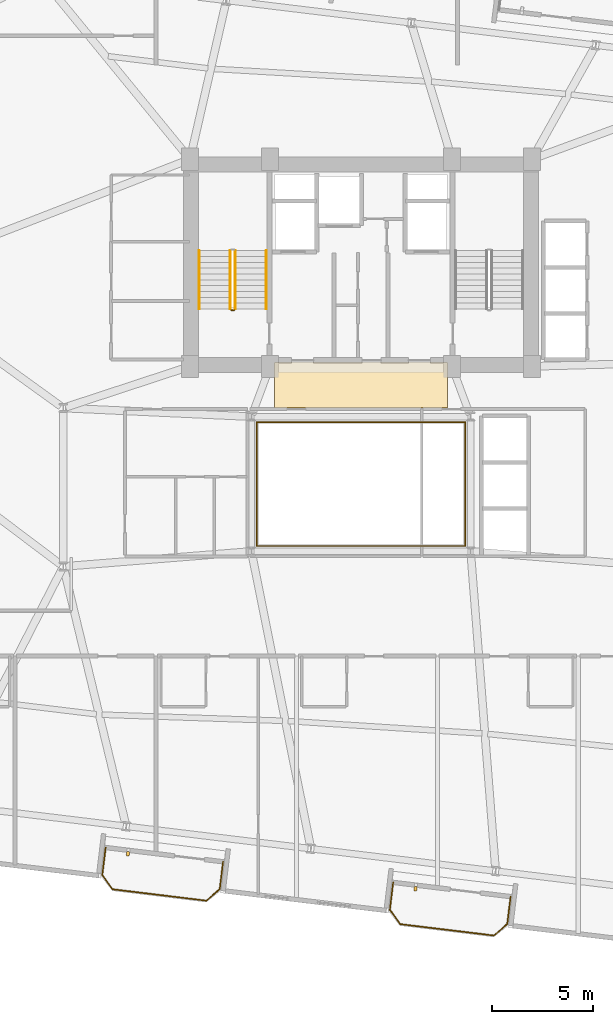
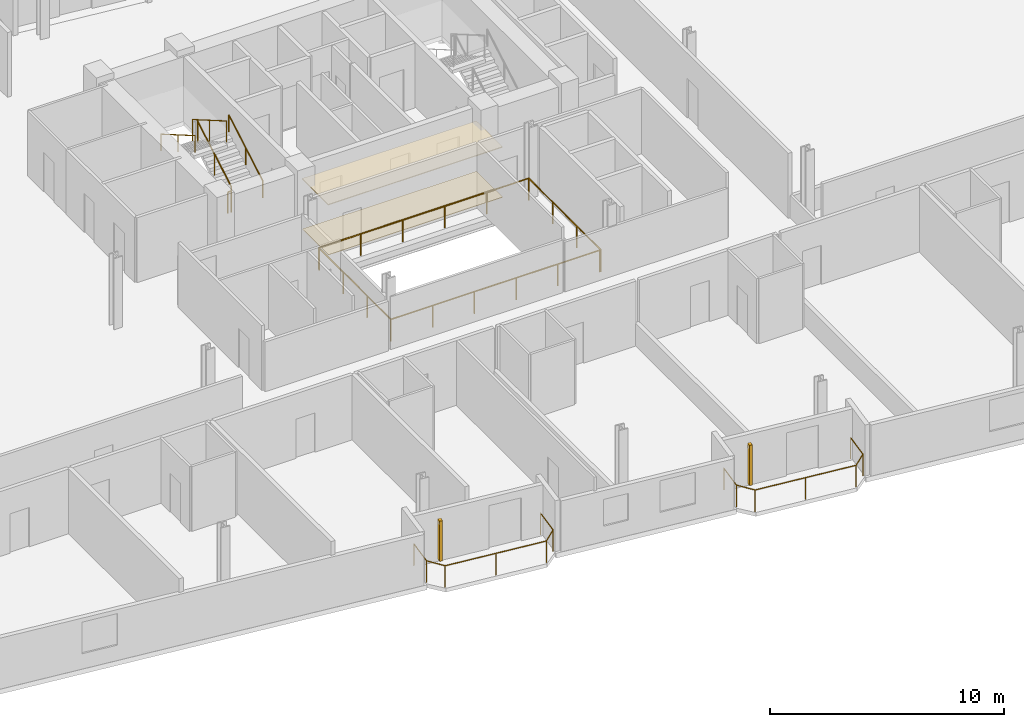
# One storey, part 25 of 26: 9 railings, 2 coverings, 2 shading devices.
"""IFC4 building model written with IfcOpenShell, lengths in metres."""

from ifc_helpers import new_model, si_unit, direction, frame, origin, origin_2d, place, context, subcontext, project, spatial, rectangle, circle, extrude, source, transform, mapped, material, layer, layer_set, type_object, element, save


model = new_model("IFC4")

# Units and contexts
model_context = context("Model", 3, precision=1e-05, world=origin(), true_north=direction((0.0, 1.0)))
body_context = subcontext(model_context, "Body", "Model", "MODEL_VIEW")
ifc_project = project(units=[si_unit("LENGTHUNIT", "METRE"), si_unit("AREAUNIT", "SQUARE_METRE"), si_unit("VOLUMEUNIT", "CUBIC_METRE"), si_unit("PLANEANGLEUNIT", "RADIAN"), si_unit("MASSUNIT", "GRAM", prefix="KILO")], contexts=[model_context])

# Site, building, storey
site_placement = place(None, origin())
site = spatial("IfcSite", under=ifc_project, at=site_placement, CompositionType="ELEMENT")
building_placement = place(site_placement, origin())
building = spatial("IfcBuilding", under=site, at=building_placement, Name="Varnelok Gate Tower", CompositionType="ELEMENT")
storey_placement = place(building_placement, frame((0.0, 0.0, 158.699951171875)))
storey = spatial("IfcBuildingStorey", under=building, at=storey_placement, Name="L40", CompositionType="ELEMENT", Elevation=158.699951171875)

# Railings
ifc_material_1 = material(Name="Tempered Laminated Balustrade Glass", Category="glass")
railing_type_1 = type_object("IfcRailingType", Name="RL-ATR-GUARD1150", PredefinedType="GUARDRAIL", material=ifc_material_1)
railing_1_placement = place(storey_placement, frame((34.02001953125, 25.929931640625, 0.0)))
element("IfcRailing", 1, at=railing_1_placement, inside=storey, type_object=railing_type_1, Name="L40 Internal Atrium South-West Guardrail", PredefinedType="GUARDRAIL", context=body_context, shape_type="SweptSolid", body=[
    extrude(circle(Radius=0.02392578125, at=origin_2d()), frame((0.0, 0.0, 1.1259765625), z_axis=(0.0, -1.0, 0.0), x_axis=(1.0, 0.0, 0.0)), (0.0, 0.0, 1.0), 6.10986328125),
    extrude(circle(Radius=0.02392578125, at=origin_2d()), frame((0.0, -6.10986328125, 1.1259765625), z_axis=(1.0, 0.0, 0.0), x_axis=(0.0, 1.0, 0.0)), (0.0, 0.0, 1.0), 10.31005859375),
    extrude(circle(Radius=0.02099609375, at=origin_2d()), origin(), (0.0, 0.0, 1.0), 1.101806640625),
    extrude(circle(Radius=0.02099609375, at=origin_2d()), frame((0.0, -2.03662109375, 0.0)), (0.0, 0.0, 1.0), 1.101806640625),
    extrude(circle(Radius=0.02099609375, at=origin_2d()), frame((0.0, -4.0732421875, 0.0)), (0.0, 0.0, 1.0), 1.101806640625),
    extrude(circle(Radius=0.02099609375, at=origin_2d()), frame((0.0, -6.10986328125, 0.0)), (0.0, 0.0, 1.0), 1.101806640625),
    extrude(circle(Radius=0.02099609375, at=origin_2d()), frame((2.06201171875, -6.10986328125, 0.0)), (0.0, 0.0, 1.0), 1.101806640625),
    extrude(circle(Radius=0.02099609375, at=origin_2d()), frame((4.1240234375, -6.10986328125, 0.0)), (0.0, 0.0, 1.0), 1.101806640625),
    extrude(circle(Radius=0.02099609375, at=origin_2d()), frame((6.18603515625, -6.10986328125, 0.0)), (0.0, 0.0, 1.0), 1.101806640625),
    extrude(circle(Radius=0.02099609375, at=origin_2d()), frame((8.248046875, -6.10986328125, 0.0)), (0.0, 0.0, 1.0), 1.101806640625),
    extrude(circle(Radius=0.02099609375, at=origin_2d()), frame((10.31005859375, -6.10986328125, 0.0)), (0.0, 0.0, 1.0), 1.101806640625),
])
railing_2_placement = place(storey_placement, frame((44.3798828125, 19.820068359375, 0.0)))
element("IfcRailing", 2, at=railing_2_placement, inside=storey, type_object=railing_type_1, Name="L40 Internal Atrium North-East Guardrail", PredefinedType="GUARDRAIL", context=body_context, shape_type="SweptSolid", body=[
    extrude(circle(Radius=0.02392578125, at=origin_2d()), frame((0.0, 0.0, 1.1259765625), z_axis=(0.0, 1.0, 0.0), x_axis=(-1.0, 0.0, 0.0)), (0.0, 0.0, 1.0), 6.159912109375),
    extrude(circle(Radius=0.02392578125, at=origin_2d()), frame((0.0, 6.159912109375, 1.1259765625), z_axis=(-1.0, 0.0, 0.0), x_axis=(0.0, -1.0, 0.0)), (0.0, 0.0, 1.0), 10.35986328125),
    extrude(circle(Radius=0.02099609375, at=origin_2d()), origin(), (0.0, 0.0, 1.0), 1.101806640625),
    extrude(circle(Radius=0.02099609375, at=origin_2d()), frame((0.0, 2.05322265625, 0.0)), (0.0, 0.0, 1.0), 1.101806640625),
    extrude(circle(Radius=0.02099609375, at=origin_2d()), frame((0.0, 4.106689453125, 0.0)), (0.0, 0.0, 1.0), 1.101806640625),
    extrude(circle(Radius=0.02099609375, at=origin_2d()), frame((0.0, 6.159912109375, 0.0)), (0.0, 0.0, 1.0), 1.101806640625),
    extrude(circle(Radius=0.02099609375, at=origin_2d()), frame((-2.072021484375, 6.159912109375, 0.0)), (0.0, 0.0, 1.0), 1.101806640625),
    extrude(circle(Radius=0.02099609375, at=origin_2d()), frame((-4.14404296875, 6.159912109375, 0.0)), (0.0, 0.0, 1.0), 1.101806640625),
    extrude(circle(Radius=0.02099609375, at=origin_2d()), frame((-6.2158203125, 6.159912109375, 0.0)), (0.0, 0.0, 1.0), 1.101806640625),
    extrude(circle(Radius=0.02099609375, at=origin_2d()), frame((-8.287841796875, 6.159912109375, 0.0)), (0.0, 0.0, 1.0), 1.101806640625),
    extrude(circle(Radius=0.02099609375, at=origin_2d()), frame((-10.35986328125, 6.159912109375, 0.0)), (0.0, 0.0, 1.0), 1.101806640625),
])
ifc_material_2 = material(Name="Low-E Laminated Double Glazing IGU", Category="glass")
railing_type_2 = type_object("IfcRailingType", Name="RL-BALC-1150", PredefinedType="BALUSTRADE", material=ifc_material_2)
railing_3_placement = place(storey_placement, frame((26.504150390625, 4.8291015625, 0.0)))
element("IfcRailing", 3, at=railing_3_placement, inside=storey, type_object=railing_type_2, Name="L40 South Terrace Balustrade 1", PredefinedType="BALUSTRADE", context=body_context, shape_type="SweptSolid", body=[
    extrude(circle(Radius=0.02392578125, at=origin_2d()), frame((0.0, 0.0, 1.1259765625), z_axis=(-0.120283471698, -0.992739586415, 0.0), x_axis=(0.992739586415, -0.120283471698, 0.0)), (0.0, 0.0, 1.0), 1.3701171875),
    extrude(circle(Radius=0.02392578125, at=origin_2d()), frame((-0.164794921875, -1.360107421875, 1.1259765625), z_axis=(0.577971037086, -0.816057277579, 0.0), x_axis=(0.816057277579, 0.577971037086, 0.0)), (0.0, 0.0, 1.0), 0.877685546875),
    extrude(circle(Radius=0.02392578125, at=origin_2d()), frame((0.342529296875, -2.076416015625, 1.1259765625), z_axis=(0.992737542139, -0.120300342591, 0.0), x_axis=(0.120300342591, 0.992737542139, 0.0)), (0.0, 0.0, 1.0), 4.7001953125),
    extrude(circle(Radius=0.02392578125, at=origin_2d()), frame((5.008544921875, -2.641845703125, 1.1259765625), z_axis=(0.756303655992, 0.654220742513, 0.0), x_axis=(-0.654220742513, 0.756303655992, 0.0)), (0.0, 0.0, 1.0), 0.877685546875),
    extrude(circle(Radius=0.02392578125, at=origin_2d()), frame((5.67236328125, -2.067626953125, 1.1259765625), z_axis=(0.120283471698, 0.992739586415, 0.0), x_axis=(-0.992739586415, 0.120283471698, 0.0)), (0.0, 0.0, 1.0), 1.3701171875),
    extrude(circle(Radius=0.02099609375, at=origin_2d()), origin(), (0.0, 0.0, 1.0), 1.101806640625),
    extrude(circle(Radius=0.02099609375, at=origin_2d()), frame((-0.164794921875, -1.360107421875, 0.0)), (0.0, 0.0, 1.0), 1.101806640625),
    extrude(circle(Radius=0.02099609375, at=origin_2d()), frame((0.342529296875, -2.076416015625, 0.0)), (0.0, 0.0, 1.0), 1.101806640625),
    extrude(circle(Radius=0.02099609375, at=origin_2d()), frame((2.675537109375, -2.359130859375, 0.0)), (0.0, 0.0, 1.0), 1.101806640625),
    extrude(circle(Radius=0.02099609375, at=origin_2d()), frame((5.008544921875, -2.641845703125, 0.0)), (0.0, 0.0, 1.0), 1.101806640625),
    extrude(circle(Radius=0.02099609375, at=origin_2d()), frame((5.67236328125, -2.067626953125, 0.0)), (0.0, 0.0, 1.0), 1.101806640625),
    extrude(circle(Radius=0.02099609375, at=origin_2d()), frame((5.837158203125, -0.70751953125, 0.0)), (0.0, 0.0, 1.0), 1.101806640625),
])
railing_4_placement = place(storey_placement, frame((40.799560546875, 3.09619140625, 0.0)))
element("IfcRailing", 4, at=railing_4_placement, inside=storey, type_object=railing_type_2, Name="L40 South Terrace Balustrade 2", PredefinedType="BALUSTRADE", context=body_context, shape_type="SweptSolid", body=[
    extrude(circle(Radius=0.02392578125, at=origin_2d()), frame((0.0, 0.0, 1.1259765625), z_axis=(-0.1204590856, -0.992718292718, 0.0), x_axis=(0.992718292718, -0.1204590856, 0.0)), (0.0, 0.0, 1.0), 1.3701171875),
    extrude(circle(Radius=0.02392578125, at=origin_2d()), frame((-0.1650390625, -1.360107421875, 1.1259765625), z_axis=(0.57815621837, -0.815926091726, 0.0), x_axis=(0.815926091726, 0.57815621837, 0.0)), (0.0, 0.0, 1.0), 0.8779296875),
    extrude(circle(Radius=0.02392578125, at=origin_2d()), frame((0.342529296875, -2.076416015625, 1.1259765625), z_axis=(0.99273133746, -0.120351533534, 0.0), x_axis=(0.120351533534, 0.99273133746, 0.0)), (0.0, 0.0, 1.0), 4.7001953125),
    extrude(circle(Radius=0.02392578125, at=origin_2d()), frame((5.008544921875, -2.64208984375, 1.1259765625), z_axis=(0.756166036083, 0.654379802465, 0.0), x_axis=(-0.654379802465, 0.756166036083, 0.0)), (0.0, 0.0, 1.0), 0.8779296875),
    extrude(circle(Radius=0.02392578125, at=origin_2d()), frame((5.67236328125, -2.067626953125, 1.1259765625), z_axis=(0.120304754056, 0.992737007546, 0.0), x_axis=(-0.992737007546, 0.120304754056, 0.0)), (0.0, 0.0, 1.0), 1.369873046875),
    extrude(circle(Radius=0.02099609375, at=origin_2d()), origin(), (0.0, 0.0, 1.0), 1.101806640625),
    extrude(circle(Radius=0.02099609375, at=origin_2d()), frame((-0.1650390625, -1.360107421875, 0.0)), (0.0, 0.0, 1.0), 1.101806640625),
    extrude(circle(Radius=0.02099609375, at=origin_2d()), frame((0.342529296875, -2.076416015625, 0.0)), (0.0, 0.0, 1.0), 1.101806640625),
    extrude(circle(Radius=0.02099609375, at=origin_2d()), frame((2.675537109375, -2.359375, 0.0)), (0.0, 0.0, 1.0), 1.101806640625),
    extrude(circle(Radius=0.02099609375, at=origin_2d()), frame((5.008544921875, -2.64208984375, 0.0)), (0.0, 0.0, 1.0), 1.101806640625),
    extrude(circle(Radius=0.02099609375, at=origin_2d()), frame((5.67236328125, -2.067626953125, 0.0)), (0.0, 0.0, 1.0), 1.101806640625),
    extrude(circle(Radius=0.02099609375, at=origin_2d()), frame((5.837158203125, -0.707763671875, 0.0)), (0.0, 0.0, 1.0), 1.101806640625),
])
ifc_material_3 = material(Name="Brushed Stainless Steel AISI 316", Category="steel")
railing_type_3 = type_object("IfcRailingType", Name="RL-HANDRAIL-900", PredefinedType="HANDRAIL", material=ifc_material_3)
railing_5_placement = place(storey_placement, frame((34.5, 31.60009765625, 0.168212890625)))
element("IfcRailing", 5, at=railing_5_placement, inside=storey, type_object=railing_type_3, Name="L40 ST-1 stair handrail 1", PredefinedType="HANDRAIL", context=body_context, shape_type="SweptSolid", body=[
    extrude(circle(Radius=0.02392578125, at=origin_2d()), frame((0.0, 0.0, 0.8759765625), z_axis=(0.0, 0.865038774852, 0.501705010941), x_axis=(-1.0, 0.0, 0.0)), (0.0, 0.0, 1.0), 3.352294921875),
    extrude(circle(Radius=0.02099609375, at=origin_2d()), origin(), (0.0, 0.0, 1.0), 0.851806640625),
    extrude(circle(Radius=0.02099609375, at=origin_2d()), frame((0.0, 1.449951171875, 0.8408203125)), (0.0, 0.0, 1.0), 0.851806640625),
    extrude(circle(Radius=0.02099609375, at=origin_2d()), frame((0.0, 2.89990234375, 1.681884765625)), (0.0, 0.0, 1.0), 0.851806640625),
])
railing_6_placement = place(storey_placement, frame((31.14990234375, 34.5, 2.018310546875)))
element("IfcRailing", 6, at=railing_6_placement, inside=storey, type_object=railing_type_3, Name="L40 ST-1 stair handrail 2", PredefinedType="HANDRAIL", context=body_context, shape_type="SweptSolid", body=[
    extrude(circle(Radius=0.02392578125, at=origin_2d()), frame((0.0, 0.0, 0.8759765625), z_axis=(0.0, -0.86507038078, 0.501650512107), x_axis=(1.0, 0.0, 0.0)), (0.0, 0.0, 1.0), 3.352294921875),
    extrude(circle(Radius=0.02099609375, at=origin_2d()), origin(), (0.0, 0.0, 1.0), 0.851806640625),
    extrude(circle(Radius=0.02099609375, at=origin_2d()), frame((0.0, -1.449951171875, 0.8408203125)), (0.0, 0.0, 1.0), 0.851806640625),
    extrude(circle(Radius=0.02099609375, at=origin_2d()), frame((0.0, -2.89990234375, 1.681640625)), (0.0, 0.0, 1.0), 0.851806640625),
])
ifc_material_4 = material(Name="Galvanized Steel Grade S350GD", Category="steel")
railing_type_4 = type_object("IfcRailingType", Name="RL-STAIR-GUARD1120", PredefinedType="GUARDRAIL", material=ifc_material_4)
railing_7_placement = place(storey_placement, frame((32.949951171875, 31.60009765625, 0.168212890625)))
element("IfcRailing", 7, at=railing_7_placement, inside=storey, type_object=railing_type_4, Name="L40 ST-1 stair guard 1", PredefinedType="GUARDRAIL", context=body_context, shape_type="SweptSolid", body=[
    extrude(circle(Radius=0.02392578125, at=origin_2d()), frame((0.0, 0.0, 1.09619140625), z_axis=(0.0, 0.865038774852, 0.501705010941), x_axis=(-1.0, 0.0, 0.0)), (0.0, 0.0, 1.0), 3.352294921875),
    extrude(circle(Radius=0.02099609375, at=origin_2d()), origin(), (0.0, 0.0, 1.0), 1.072021484375),
    extrude(circle(Radius=0.02099609375, at=origin_2d()), frame((0.0, 1.449951171875, 0.8408203125)), (0.0, 0.0, 1.0), 1.072021484375),
    extrude(circle(Radius=0.02099609375, at=origin_2d()), frame((0.0, 2.89990234375, 1.681884765625)), (0.0, 0.0, 1.0), 1.072021484375),
])
railing_8_placement = place(storey_placement, frame((32.699951171875, 34.5, 2.018310546875)))
element("IfcRailing", 8, at=railing_8_placement, inside=storey, type_object=railing_type_4, Name="L40 ST-1 stair guard 3", PredefinedType="GUARDRAIL", context=body_context, shape_type="SweptSolid", body=[
    extrude(circle(Radius=0.02392578125, at=origin_2d()), frame((0.0, 0.0, 1.09619140625), z_axis=(0.0, -0.86507038078, 0.501650512107), x_axis=(1.0, 0.0, 0.0)), (0.0, 0.0, 1.0), 3.352294921875),
    extrude(circle(Radius=0.02099609375, at=origin_2d()), origin(), (0.0, 0.0, 1.0), 1.072021484375),
    extrude(circle(Radius=0.02099609375, at=origin_2d()), frame((0.0, -1.449951171875, 0.8408203125)), (0.0, 0.0, 1.0), 1.072021484375),
    extrude(circle(Radius=0.02099609375, at=origin_2d()), frame((0.0, -2.89990234375, 1.681640625)), (0.0, 0.0, 1.0), 1.072021484375),
])
railing_9_placement = place(storey_placement, frame((32.89990234375, 31.550048828125, 0.0)))
element("IfcRailing", 9, at=railing_9_placement, inside=storey, type_object=railing_type_4, Name="L40 ST-1 stair guard 4", PredefinedType="GUARDRAIL", context=body_context, shape_type="SweptSolid", body=[
    extrude(circle(Radius=0.02392578125, at=origin_2d()), frame((0.0, 0.0, 1.09619140625), z_axis=(-1.0, 0.0, 0.0), x_axis=(0.0, -1.0, 0.0)), (0.0, 0.0, 1.0), 0.14990234375),
    extrude(circle(Radius=0.02099609375, at=origin_2d()), origin(), (0.0, 0.0, 1.0), 1.072021484375),
    extrude(circle(Radius=0.02099609375, at=origin_2d()), frame((-0.14990234375, 0.0, 0.0)), (0.0, 0.0, 1.0), 1.072021484375),
])

# Shading devices
ifc_material_5 = material(Name="Glazed Architectural Terracotta Ceramic", Category="masonry")
shading_device_type = type_object("IfcShadingDeviceType", Name="SHD-TERRA-BAGUETTE", PredefinedType="USERDEFINED", material=ifc_material_5)
shared_shape_1 = source(origin(), body_context, "Body", "SweptSolid", [
    extrude(rectangle(XDim=0.139892578125, YDim=0.219970703125, at=origin_2d()), origin(), (0.0, 0.0, 1.0), 2.10009765625),
])
for number, where, z_axis, x_axis, name in (
    (10, (27.6142578125, 4.51318359375, 0.10009765625), (0.0, 0.0, 1.0), (0.992732158755, -0.12034475881, 0.0), "L40 Terracotta Ceramic Baguette Sunscreen 1.1"),
    (11, (41.90966796875, 2.7802734375, 0.10009765625), (0.0, 0.0, 1.0), (0.992732158755, -0.12034475881, 0.0), "L40 Terracotta Ceramic Baguette Sunscreen 2.1"),
):
    element("IfcShadingDevice", number, at=place(storey_placement, frame(where, z_axis=z_axis, x_axis=x_axis)), inside=storey, type_object=shading_device_type, Name=name, ObjectType="BAGUETTE", PredefinedType="USERDEFINED", context=body_context, shape_type="MappedRepresentation", body=[
        mapped(shared_shape_1, transform((0.0, 0.0, 0.0), scale=1.0)),
    ])

# Coverings
ifc_material_6 = material(Name="Honed Travertine Stone Flooring", Category="masonry")
ifc_layer_1 = layer(ifc_material_6, 0.02490234375)
ifc_layer_set_1 = layer_set([ifc_layer_1], Name="Honed Travertine Stone Flooring")
covering_type_1 = type_object("IfcCoveringType", Name="COV-FLOR-STONE", PredefinedType="FLOORING", material=ifc_layer_set_1)
shared_shape_2 = source(origin(), body_context, "Body", "SweptSolid", [
    extrude(rectangle(XDim=8.60009765625, YDim=2.219970703125, at=origin_2d()), origin(), (0.0, 0.0, 1.0), 0.02490234375),
])
covering_1_placement = place(storey_placement, frame((39.199951171875, 27.800048828125, 0.0), z_axis=(0.0, 0.0, 1.0), x_axis=(1.0, 0.0, 0.0)))
element("IfcCovering", 12, at=covering_1_placement, inside=storey, type_object=covering_type_1, Name="L40 Core Gallery Stone Flooring", PredefinedType="FLOORING", context=body_context, shape_type="MappedRepresentation", body=[
    mapped(shared_shape_2, transform((0.0, 0.0, 0.0), scale=1.0)),
])
ifc_material_7 = material(Name="Mineral Fiber Acoustic Ceiling Tile")
ifc_layer_2 = layer(ifc_material_7, 0.0400390625)
ifc_layer_set_2 = layer_set([ifc_layer_2], Name="Mineral Fiber Acoustic Ceiling Tile")
covering_type_2 = type_object("IfcCoveringType", Name="COV-CEIL-ACOUST", PredefinedType="CEILING", material=ifc_layer_set_2)
shared_shape_3 = source(origin(), body_context, "Body", "SweptSolid", [
    extrude(rectangle(XDim=8.60009765625, YDim=2.239990234375, at=origin_2d()), origin(), (0.0, 0.0, 1.0), 0.0400390625),
])
covering_2_placement = place(storey_placement, frame((39.199951171875, 27.820068359375, 2.60009765625), z_axis=(0.0, 0.0, 1.0), x_axis=(1.0, 0.0, 0.0)))
element("IfcCovering", 13, at=covering_2_placement, inside=storey, type_object=covering_type_2, Name="L40 Core Gallery Acoustic Ceiling", PredefinedType="CEILING", context=body_context, shape_type="MappedRepresentation", body=[
    mapped(shared_shape_3, transform((0.0, 0.0, 0.0), scale=1.0)),
])

save(model, "model.ifc")
